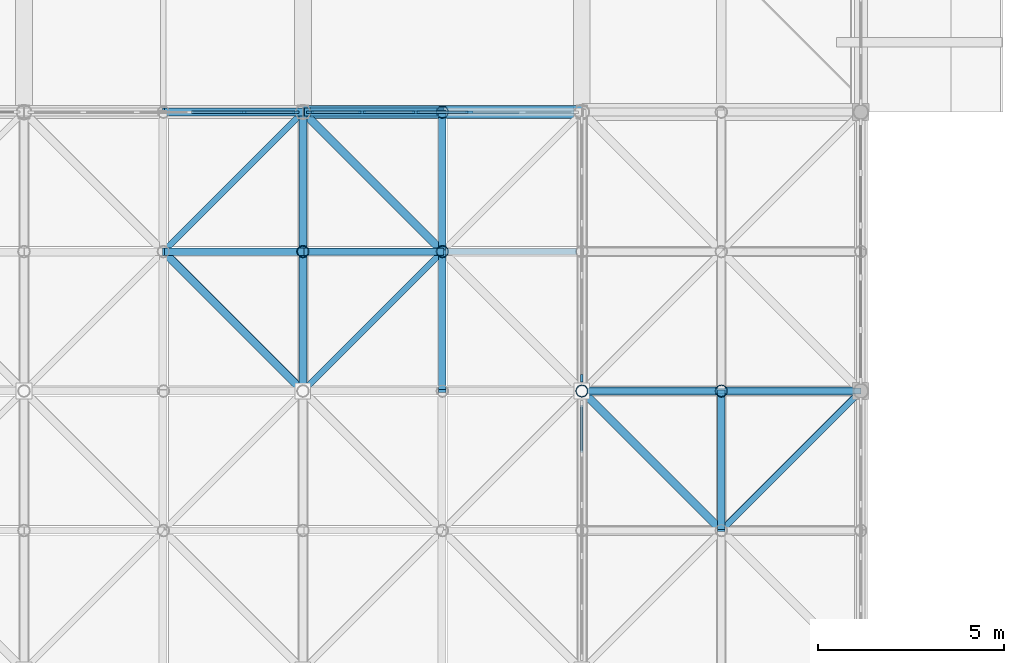
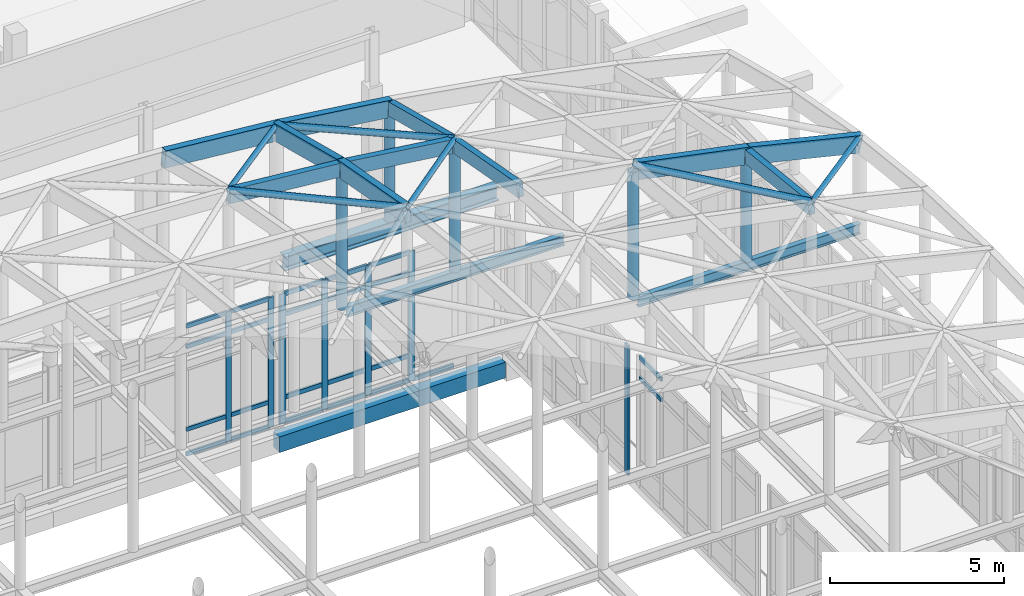
# One storey, part 47 of 131: 52 members, 4 beams, 4 elements without a shape of their own.
"""IFC4 building model written with IfcOpenShell, lengths in metres."""

from ifc_helpers import new_model, si_unit, direction, frame, origin, origin_2d, place, context, subcontext, project, spatial, rectangle, hollow_circle, i_section, extrude, material, layer, layer_set, material_profile, profile_set, type_object, element, aggregate, save


model = new_model("IFC4")

# Units and contexts
model_context = context("Model", 3, precision=1e-05, world=origin(), true_north=direction((0.0, 1.0)))
body_context = subcontext(model_context, "Body", "Model", "MODEL_VIEW")
ifc_project = project(units=[si_unit("LENGTHUNIT", "METRE"), si_unit("AREAUNIT", "SQUARE_METRE"), si_unit("VOLUMEUNIT", "CUBIC_METRE"), si_unit("PLANEANGLEUNIT", "RADIAN"), si_unit("MASSUNIT", "GRAM", prefix="KILO")], contexts=[model_context])

# Site, building, storey
site_placement = place(None, origin())
site = spatial("IfcSite", under=ifc_project, at=site_placement, CompositionType="ELEMENT")
building_placement = place(site_placement, origin())
building = spatial("IfcBuilding", under=site, at=building_placement, Name="Dalvernix Boulevard General Hospital", CompositionType="ELEMENT")
storey_placement = place(building_placement, frame((0.0, 0.0, 9.300048828125)))
storey = spatial("IfcBuildingStorey", under=building, at=storey_placement, Name="L02", CompositionType="ELEMENT", Elevation=9.300048828125)

# Beams
ifc_material_1 = material(Name="Steel S355", Category="steel")
ifc_material_profile_1 = material_profile(ifc_material_1, i_section(OverallWidth=0.300048828125, OverallDepth=0.5, WebThickness=0.014404296875, FlangeThickness=0.028076171875, FilletRadius=0.027099609375, at=origin_2d()), Name="HEB 500")
ifc_profile_set_1 = profile_set([ifc_material_profile_1], Name="Steel S355")
beam_type_1 = type_object("IfcBeamType", Name="BM-RB-02", PredefinedType="BEAM", material=ifc_profile_set_1)
beam_1_placement = place(storey_placement, frame((97.7099609375, 61.5, 5.64990234375), z_axis=(1.0, 0.0, 0.0), x_axis=(0.0, 1.0, 0.0)))
element("IfcBeam", 1, at=beam_1_placement, inside=storey, type_object=beam_type_1, Name="Gridshell Ring Beam N bay 6", PredefinedType="BEAM", context=body_context, shape_type="SweptSolid", body=[
    extrude(i_section(OverallWidth=0.300048828125, OverallDepth=0.5, WebThickness=0.014404296875, FlangeThickness=0.028076171875, FilletRadius=0.027099609375, at=origin_2d()), origin(), (0.0, 0.0, 1.0), 7.080078125),
])
ifc_material_profile_2 = material_profile(ifc_material_1, i_section(OverallWidth=0.169921875, OverallDepth=0.360107421875, WebThickness=0.008056640625, FlangeThickness=0.0126953125, FilletRadius=0.01806640625, at=origin_2d()), Name="IPE 360")
ifc_profile_set_2 = profile_set([ifc_material_profile_2], Name="Steel S355")
beam_type_2 = type_object("IfcBeamType", Name="BM-RB-08", PredefinedType="BEAM", material=ifc_profile_set_2)
beam_2_placement = place(storey_placement, frame((105.14208984375, 54.0, 6.219970703125), z_axis=(1.0, 0.0, 0.0), x_axis=(0.0, 1.0, 0.0)))
element("IfcBeam", 2, at=beam_2_placement, inside=storey, type_object=beam_type_2, Name="ROOF TRUSS Gridshell cross tie 12-6", PredefinedType="BEAM", context=body_context, shape_type="SweptSolid", body=[
    extrude(i_section(OverallWidth=0.169921875, OverallDepth=0.360107421875, WebThickness=0.008056640625, FlangeThickness=0.0126953125, FilletRadius=0.01806640625, at=origin_2d()), origin(), (0.0, 0.0, 1.0), 7.35791015625),
])
beam_3_placement = place(storey_placement, frame((97.64208984375, 57.75, 6.219970703125), z_axis=(1.0, 0.0, 0.0), x_axis=(0.0, 1.0, 0.0)))
element("IfcBeam", 3, at=beam_3_placement, inside=storey, type_object=beam_type_2, Name="ROOF TRUSS Gridshell cross tie 10-7", PredefinedType="BEAM", context=body_context, shape_type="SweptSolid", body=[
    extrude(i_section(OverallWidth=0.169921875, OverallDepth=0.360107421875, WebThickness=0.008056640625, FlangeThickness=0.0126953125, FilletRadius=0.01806640625, at=origin_2d()), origin(), (0.0, 0.0, 1.0), 7.2158203125),
])
ifc_material_2 = material(Name="Concrete C35/45", Category="concrete")
ifc_material_profile_3 = material_profile(ifc_material_2, rectangle(XDim=0.35009765625, YDim=0.550048828125, at=origin_2d()), Name="RCB 350x550")
ifc_profile_set_3 = profile_set([ifc_material_profile_3], Name="Concrete C35/45")
beam_type_3 = type_object("IfcBeamType", Name="BM-SB-01-E", PredefinedType="SPANDREL", material=ifc_profile_set_3)
beam_4_placement = place(storey_placement, frame((97.5, 61.5, -0.594970703125), z_axis=(1.0, 0.0, 0.0), x_axis=(0.0, 1.0, 0.0)))
element("IfcBeam", 4, at=beam_4_placement, inside=storey, type_object=beam_type_3, Name="L02 E-W girder J:14-15", PredefinedType="SPANDREL", context=body_context, shape_type="SweptSolid", body=[
    extrude(rectangle(XDim=0.35009765625, YDim=0.550048828125, at=origin_2d()), origin(), (0.0, 0.0, 1.0), 7.5),
])

# Curtain wall, members
ifc_material_3 = material(Name="Thermally broken aluminium and solar-control glass curtain wall", Category="aluminium")
ifc_layer_1 = layer(ifc_material_3, 0.179931640625)
ifc_layer_set_1 = layer_set([ifc_layer_1], Name="Thermally broken aluminium and solar-control glass curtain wall (CW-CW-B-72x46)")
curtain_wall_type_1 = type_object("IfcCurtainWallType", Name="CW-CW-B-72x46", PredefinedType="USERDEFINED", material=ifc_layer_set_1)
curtain_wall_1_placement = place(storey_placement, origin())
curtain_wall_1 = element("IfcCurtainWall", 5, at=curtain_wall_1_placement, inside=storey, type_object=curtain_wall_type_1, Name="L02 curtain wall CW-B-72x46 12-8", ObjectType="GLAZED FACADE", PredefinedType="USERDEFINED")
ifc_material_4 = material(Name="Aluminium EN AW-6060", Category="aluminium")
ifc_material_profile_4 = material_profile(ifc_material_4, rectangle(XDim=0.06494140625, YDim=0.179931640625, at=origin_2d()), Name="ALU MULL 65x180")
ifc_profile_set_4 = profile_set([ifc_material_profile_4], Name="Aluminium EN AW-6060")
member_type_1 = type_object("IfcMemberType", Name="MEM-CW-M2", PredefinedType="MULLION", material=ifc_profile_set_4)
member_1_placement = place(storey_placement, frame((97.3076171875, 61.5, 0.0), z_axis=(0.0, 0.0, 1.0), x_axis=(0.0, -1.0, 0.0)))
member_1 = element("IfcMember", 6, at=member_1_placement, type_object=member_type_1, Name="CW-B-72x46 mullion 1", PredefinedType="MULLION", context=body_context, shape_type="SweptSolid", body=[
    extrude(rectangle(XDim=0.06494140625, YDim=0.179931640625, at=origin_2d()), origin(), (0.0, 0.0, 1.0), 4.550048828125),
])
member_2_placement = place(storey_placement, frame((95.904052734375, 61.5, 0.0), z_axis=(0.0, 0.0, 1.0), x_axis=(0.0, -1.0, 0.0)))
member_2 = element("IfcMember", 7, at=member_2_placement, type_object=member_type_1, Name="CW-B-72x46 mullion 2", PredefinedType="MULLION", context=body_context, shape_type="SweptSolid", body=[
    extrude(rectangle(XDim=0.06494140625, YDim=0.179931640625, at=origin_2d()), origin(), (0.0, 0.0, 1.0), 4.550048828125),
])

ifc_layer_2 = layer(ifc_material_3, 0.199951171875)
ifc_layer_set_2 = layer_set([ifc_layer_2], Name="Thermally broken aluminium and solar-control glass curtain wall (CW-CW-C-72x46)")
curtain_wall_type_2 = type_object("IfcCurtainWallType", Name="CW-CW-C-72x46", PredefinedType="USERDEFINED", material=ifc_layer_set_2)
curtain_wall_2_placement = place(storey_placement, origin())
curtain_wall_2 = element("IfcCurtainWall", 8, at=curtain_wall_2_placement, inside=storey, type_object=curtain_wall_type_2, Name="L02 curtain wall CW-C-72x46 13-8", ObjectType="GLAZED FACADE", PredefinedType="USERDEFINED")
ifc_material_profile_5 = material_profile(ifc_material_4, rectangle(XDim=0.070068359375, YDim=0.199951171875, at=origin_2d()), Name="ALU MULL 70x200")
ifc_profile_set_5 = profile_set([ifc_material_profile_5], Name="Aluminium EN AW-6060")
member_type_2 = type_object("IfcMemberType", Name="MEM-CW-M3", PredefinedType="MULLION", material=ifc_profile_set_5)
member_3_placement = place(storey_placement, frame((101.968017578125, 61.5, 0.0), z_axis=(0.0, 0.0, 1.0), x_axis=(0.0, -1.0, 0.0)))
member_3 = element("IfcMember", 9, at=member_3_placement, type_object=member_type_2, Name="CW-C-72x46 mullion 3", PredefinedType="MULLION", context=body_context, shape_type="SweptSolid", body=[
    extrude(rectangle(XDim=0.070068359375, YDim=0.199951171875, at=origin_2d()), origin(), (0.0, 0.0, 1.0), 4.550048828125),
])
member_4_placement = place(storey_placement, frame((100.531982421875, 61.5, 0.0), z_axis=(0.0, 0.0, 1.0), x_axis=(0.0, -1.0, 0.0)))
member_4 = element("IfcMember", 10, at=member_4_placement, type_object=member_type_2, Name="CW-C-72x46 mullion 4", PredefinedType="MULLION", context=body_context, shape_type="SweptSolid", body=[
    extrude(rectangle(XDim=0.070068359375, YDim=0.199951171875, at=origin_2d()), origin(), (0.0, 0.0, 1.0), 4.550048828125),
])
member_5_placement = place(storey_placement, frame((99.095947265625, 61.5, 0.0), z_axis=(0.0, 0.0, 1.0), x_axis=(0.0, -1.0, 0.0)))
member_5 = element("IfcMember", 11, at=member_5_placement, type_object=member_type_2, Name="CW-C-72x46 mullion 5", PredefinedType="MULLION", context=body_context, shape_type="SweptSolid", body=[
    extrude(rectangle(XDim=0.070068359375, YDim=0.199951171875, at=origin_2d()), origin(), (0.0, 0.0, 1.0), 4.550048828125),
])
member_6_placement = place(storey_placement, frame((97.695068359375, 61.5, 0.0), z_axis=(0.0, 0.0, 1.0), x_axis=(0.0, -1.0, 0.0)))
member_6 = element("IfcMember", 12, at=member_6_placement, type_object=member_type_2, Name="CW-C-72x46 mullion 6", PredefinedType="MULLION", context=body_context, shape_type="SweptSolid", body=[
    extrude(rectangle(XDim=0.070068359375, YDim=0.199951171875, at=origin_2d()), origin(), (0.0, 0.0, 1.0), 4.550048828125),
])

# Curtain wall, member
ifc_layer_3 = layer(ifc_material_3, 0.199951171875)
ifc_layer_set_3 = layer_set([ifc_layer_3], Name="Thermally broken aluminium and solar-control glass curtain wall (CW-CW-C-70x46)")
curtain_wall_type_3 = type_object("IfcCurtainWallType", Name="CW-CW-C-70x46", PredefinedType="USERDEFINED", material=ifc_layer_set_3)
curtain_wall_3_placement = place(storey_placement, origin())
curtain_wall_3 = element("IfcCurtainWall", 13, at=curtain_wall_3_placement, inside=storey, type_object=curtain_wall_type_3, Name="L02 curtain wall CW-C-70x46 14-7", ObjectType="GLAZED FACADE", PredefinedType="USERDEFINED")
member_7_placement = place(storey_placement, frame((105.0, 54.344970703125, 0.0), z_axis=(0.0, 0.0, 1.0), x_axis=(-1.0, 0.0, 0.0)))
member_7 = element("IfcMember", 14, at=member_7_placement, type_object=member_type_2, Name="CW-C-70x46 mullion 1", PredefinedType="MULLION", context=body_context, shape_type="SweptSolid", body=[
    extrude(rectangle(XDim=0.070068359375, YDim=0.199951171875, at=origin_2d()), origin(), (0.0, 0.0, 1.0), 4.550048828125),
])
aggregate(curtain_wall_3, [member_7])

# Member
ifc_material_profile_6 = material_profile(ifc_material_4, rectangle(XDim=0.06494140625, YDim=0.139892578125, at=origin_2d()), Name="ALU TRAN 65x140")
ifc_profile_set_6 = profile_set([ifc_material_profile_6], Name="Aluminium EN AW-6060")
member_type_3 = type_object("IfcMemberType", Name="MEM-CW-T2", PredefinedType="USERDEFINED", material=ifc_profile_set_6)
member_8_placement = place(storey_placement, frame((97.27490234375, 61.5, 0.032470703125), z_axis=(-1.0, 0.0, 0.0), x_axis=(0.0, -1.0, 0.0)))
member_8 = element("IfcMember", 15, at=member_8_placement, type_object=member_type_3, Name="CW-B-72x46 transom 1.1", ObjectType="TRANSOM", PredefinedType="USERDEFINED", context=body_context, shape_type="SweptSolid", body=[
    extrude(rectangle(XDim=0.06494140625, YDim=0.139892578125, at=origin_2d()), origin(), (0.0, 0.0, 1.0), 1.33837890625),
])

member_9_placement = place(storey_placement, frame((97.27490234375, 61.5, 0.89990234375), z_axis=(-1.0, 0.0, 0.0), x_axis=(0.0, -1.0, 0.0)))
member_9 = element("IfcMember", 16, at=member_9_placement, type_object=member_type_3, Name="CW-B-72x46 transom 1.2", ObjectType="TRANSOM", PredefinedType="USERDEFINED", context=body_context, shape_type="SweptSolid", body=[
    extrude(rectangle(XDim=0.06494140625, YDim=0.139892578125, at=origin_2d()), origin(), (0.0, 0.0, 1.0), 1.33837890625),
])

member_10_placement = place(storey_placement, frame((97.27490234375, 61.5, 3.800048828125), z_axis=(-1.0, 0.0, 0.0), x_axis=(0.0, -1.0, 0.0)))
member_10 = element("IfcMember", 17, at=member_10_placement, type_object=member_type_3, Name="CW-B-72x46 transom 1.3", ObjectType="TRANSOM", PredefinedType="USERDEFINED", context=body_context, shape_type="SweptSolid", body=[
    extrude(rectangle(XDim=0.06494140625, YDim=0.139892578125, at=origin_2d()), origin(), (0.0, 0.0, 1.0), 1.33837890625),
])

member_11_placement = place(storey_placement, frame((97.27490234375, 61.5, 4.517333984375), z_axis=(-1.0, 0.0, 0.0), x_axis=(0.0, -1.0, 0.0)))
member_11 = element("IfcMember", 18, at=member_11_placement, type_object=member_type_3, Name="CW-B-72x46 transom 1.4", ObjectType="TRANSOM", PredefinedType="USERDEFINED", context=body_context, shape_type="SweptSolid", body=[
    extrude(rectangle(XDim=0.06494140625, YDim=0.139892578125, at=origin_2d()), origin(), (0.0, 0.0, 1.0), 1.33837890625),
])

member_12_placement = place(storey_placement, frame((95.87158203125, 61.5, 0.032470703125), z_axis=(-1.0, 0.0, 0.0), x_axis=(0.0, -1.0, 0.0)))
member_12 = element("IfcMember", 19, at=member_12_placement, type_object=member_type_3, Name="CW-B-72x46 transom 2.1", ObjectType="TRANSOM", PredefinedType="USERDEFINED", context=body_context, shape_type="SweptSolid", body=[
    extrude(rectangle(XDim=0.06494140625, YDim=0.139892578125, at=origin_2d()), origin(), (0.0, 0.0, 1.0), 1.37109375),
])

member_13_placement = place(storey_placement, frame((95.87158203125, 61.5, 0.89990234375), z_axis=(-1.0, 0.0, 0.0), x_axis=(0.0, -1.0, 0.0)))
member_13 = element("IfcMember", 20, at=member_13_placement, type_object=member_type_3, Name="CW-B-72x46 transom 2.2", ObjectType="TRANSOM", PredefinedType="USERDEFINED", context=body_context, shape_type="SweptSolid", body=[
    extrude(rectangle(XDim=0.06494140625, YDim=0.139892578125, at=origin_2d()), origin(), (0.0, 0.0, 1.0), 1.37109375),
])

member_14_placement = place(storey_placement, frame((95.87158203125, 61.5, 3.800048828125), z_axis=(-1.0, 0.0, 0.0), x_axis=(0.0, -1.0, 0.0)))
member_14 = element("IfcMember", 21, at=member_14_placement, type_object=member_type_3, Name="CW-B-72x46 transom 2.3", ObjectType="TRANSOM", PredefinedType="USERDEFINED", context=body_context, shape_type="SweptSolid", body=[
    extrude(rectangle(XDim=0.06494140625, YDim=0.139892578125, at=origin_2d()), origin(), (0.0, 0.0, 1.0), 1.37109375),
])

member_15_placement = place(storey_placement, frame((95.87158203125, 61.5, 4.517333984375), z_axis=(-1.0, 0.0, 0.0), x_axis=(0.0, -1.0, 0.0)))
member_15 = element("IfcMember", 22, at=member_15_placement, type_object=member_type_3, Name="CW-B-72x46 transom 2.4", ObjectType="TRANSOM", PredefinedType="USERDEFINED", context=body_context, shape_type="SweptSolid", body=[
    extrude(rectangle(XDim=0.06494140625, YDim=0.139892578125, at=origin_2d()), origin(), (0.0, 0.0, 1.0), 1.37109375),
])

aggregate(curtain_wall_1, [member_1, member_2, member_8, member_9, member_10, member_11, member_12, member_13, member_14, member_15])

# Curtain wall, members
ifc_layer_4 = layer(ifc_material_3, 0.179931640625)
ifc_layer_set_4 = layer_set([ifc_layer_4], Name="Thermally broken aluminium and solar-control glass curtain wall (CW-CW-B-69x46)")
curtain_wall_type_4 = type_object("IfcCurtainWallType", Name="CW-CW-B-69x46", PredefinedType="USERDEFINED", material=ifc_layer_set_4)
curtain_wall_4_placement = place(storey_placement, origin())
curtain_wall_4 = element("IfcCurtainWall", 23, at=curtain_wall_4_placement, inside=storey, type_object=curtain_wall_type_4, Name="L02 curtain wall CW-B-69x46 14-6", ObjectType="GLAZED FACADE", PredefinedType="USERDEFINED")
member_16_placement = place(storey_placement, frame((105.0, 52.346435546875, 3.800048828125), z_axis=(0.0, 1.0, 0.0), x_axis=(-1.0, 0.0, 0.0)))
member_16 = element("IfcMember", 24, at=member_16_placement, type_object=member_type_3, Name="CW-B-69x46 transom 5.3", ObjectType="TRANSOM", PredefinedType="USERDEFINED", context=body_context, shape_type="SweptSolid", body=[
    extrude(rectangle(XDim=0.06494140625, YDim=0.139892578125, at=origin_2d()), origin(), (0.0, 0.0, 1.0), 1.278564453125),
])
member_17_placement = place(storey_placement, frame((105.0, 52.346435546875, 4.517333984375), z_axis=(0.0, 1.0, 0.0), x_axis=(-1.0, 0.0, 0.0)))
member_17 = element("IfcMember", 25, at=member_17_placement, type_object=member_type_3, Name="CW-B-69x46 transom 5.4", ObjectType="TRANSOM", PredefinedType="USERDEFINED", context=body_context, shape_type="SweptSolid", body=[
    extrude(rectangle(XDim=0.06494140625, YDim=0.139892578125, at=origin_2d()), origin(), (0.0, 0.0, 1.0), 1.278564453125),
])
aggregate(curtain_wall_4, [member_16, member_17])

# Member
ifc_material_profile_7 = material_profile(ifc_material_4, rectangle(XDim=0.070068359375, YDim=0.14990234375, at=origin_2d()), Name="ALU TRAN 70x150")
ifc_profile_set_7 = profile_set([ifc_material_profile_7], Name="Aluminium EN AW-6060")
member_type_4 = type_object("IfcMemberType", Name="MEM-CW-T3", PredefinedType="USERDEFINED", material=ifc_profile_set_7)
member_18_placement = place(storey_placement, frame((103.368896484375, 61.5, 0.034912109375), z_axis=(-1.0, 0.0, 0.0), x_axis=(0.0, -1.0, 0.0)))
member_18 = element("IfcMember", 26, at=member_18_placement, type_object=member_type_4, Name="CW-C-72x46 transom 2.1", ObjectType="TRANSOM", PredefinedType="USERDEFINED", context=body_context, shape_type="SweptSolid", body=[
    extrude(rectangle(XDim=0.070068359375, YDim=0.14990234375, at=origin_2d()), origin(), (0.0, 0.0, 1.0), 1.365966796875),
])

member_19_placement = place(storey_placement, frame((101.93310546875, 61.5, 0.034912109375), z_axis=(-1.0, 0.0, 0.0), x_axis=(0.0, -1.0, 0.0)))
member_19 = element("IfcMember", 27, at=member_19_placement, type_object=member_type_4, Name="CW-C-72x46 transom 3.1", ObjectType="TRANSOM", PredefinedType="USERDEFINED", context=body_context, shape_type="SweptSolid", body=[
    extrude(rectangle(XDim=0.070068359375, YDim=0.14990234375, at=origin_2d()), origin(), (0.0, 0.0, 1.0), 1.3662109375),
])

member_20_placement = place(storey_placement, frame((101.93310546875, 61.5, 0.89990234375), z_axis=(-1.0, 0.0, 0.0), x_axis=(0.0, -1.0, 0.0)))
member_20 = element("IfcMember", 28, at=member_20_placement, type_object=member_type_4, Name="CW-C-72x46 transom 3.2", ObjectType="TRANSOM", PredefinedType="USERDEFINED", context=body_context, shape_type="SweptSolid", body=[
    extrude(rectangle(XDim=0.070068359375, YDim=0.14990234375, at=origin_2d()), origin(), (0.0, 0.0, 1.0), 1.3662109375),
])

member_21_placement = place(storey_placement, frame((101.93310546875, 61.5, 3.800048828125), z_axis=(-1.0, 0.0, 0.0), x_axis=(0.0, -1.0, 0.0)))
member_21 = element("IfcMember", 29, at=member_21_placement, type_object=member_type_4, Name="CW-C-72x46 transom 3.3", ObjectType="TRANSOM", PredefinedType="USERDEFINED", context=body_context, shape_type="SweptSolid", body=[
    extrude(rectangle(XDim=0.070068359375, YDim=0.14990234375, at=origin_2d()), origin(), (0.0, 0.0, 1.0), 1.3662109375),
])

member_22_placement = place(storey_placement, frame((101.93310546875, 61.5, 4.514892578125), z_axis=(-1.0, 0.0, 0.0), x_axis=(0.0, -1.0, 0.0)))
member_22 = element("IfcMember", 30, at=member_22_placement, type_object=member_type_4, Name="CW-C-72x46 transom 3.4", ObjectType="TRANSOM", PredefinedType="USERDEFINED", context=body_context, shape_type="SweptSolid", body=[
    extrude(rectangle(XDim=0.070068359375, YDim=0.14990234375, at=origin_2d()), origin(), (0.0, 0.0, 1.0), 1.3662109375),
])

member_23_placement = place(storey_placement, frame((100.4970703125, 61.5, 0.034912109375), z_axis=(-1.0, 0.0, 0.0), x_axis=(0.0, -1.0, 0.0)))
member_23 = element("IfcMember", 31, at=member_23_placement, type_object=member_type_4, Name="CW-C-72x46 transom 4.1", ObjectType="TRANSOM", PredefinedType="USERDEFINED", context=body_context, shape_type="SweptSolid", body=[
    extrude(rectangle(XDim=0.070068359375, YDim=0.14990234375, at=origin_2d()), origin(), (0.0, 0.0, 1.0), 1.365966796875),
])

member_24_placement = place(storey_placement, frame((100.4970703125, 61.5, 0.89990234375), z_axis=(-1.0, 0.0, 0.0), x_axis=(0.0, -1.0, 0.0)))
member_24 = element("IfcMember", 32, at=member_24_placement, type_object=member_type_4, Name="CW-C-72x46 transom 4.2", ObjectType="TRANSOM", PredefinedType="USERDEFINED", context=body_context, shape_type="SweptSolid", body=[
    extrude(rectangle(XDim=0.070068359375, YDim=0.14990234375, at=origin_2d()), origin(), (0.0, 0.0, 1.0), 1.365966796875),
])

member_25_placement = place(storey_placement, frame((100.4970703125, 61.5, 3.800048828125), z_axis=(-1.0, 0.0, 0.0), x_axis=(0.0, -1.0, 0.0)))
member_25 = element("IfcMember", 33, at=member_25_placement, type_object=member_type_4, Name="CW-C-72x46 transom 4.3", ObjectType="TRANSOM", PredefinedType="USERDEFINED", context=body_context, shape_type="SweptSolid", body=[
    extrude(rectangle(XDim=0.070068359375, YDim=0.14990234375, at=origin_2d()), origin(), (0.0, 0.0, 1.0), 1.365966796875),
])

member_26_placement = place(storey_placement, frame((100.4970703125, 61.5, 4.514892578125), z_axis=(-1.0, 0.0, 0.0), x_axis=(0.0, -1.0, 0.0)))
member_26 = element("IfcMember", 34, at=member_26_placement, type_object=member_type_4, Name="CW-C-72x46 transom 4.4", ObjectType="TRANSOM", PredefinedType="USERDEFINED", context=body_context, shape_type="SweptSolid", body=[
    extrude(rectangle(XDim=0.070068359375, YDim=0.14990234375, at=origin_2d()), origin(), (0.0, 0.0, 1.0), 1.365966796875),
])

member_27_placement = place(storey_placement, frame((99.06103515625, 61.5, 0.034912109375), z_axis=(-1.0, 0.0, 0.0), x_axis=(0.0, -1.0, 0.0)))
member_27 = element("IfcMember", 35, at=member_27_placement, type_object=member_type_4, Name="CW-C-72x46 transom 5.1", ObjectType="TRANSOM", PredefinedType="USERDEFINED", context=body_context, shape_type="SweptSolid", body=[
    extrude(rectangle(XDim=0.070068359375, YDim=0.14990234375, at=origin_2d()), origin(), (0.0, 0.0, 1.0), 1.3310546875),
])

member_28_placement = place(storey_placement, frame((99.06103515625, 61.5, 0.89990234375), z_axis=(-1.0, 0.0, 0.0), x_axis=(0.0, -1.0, 0.0)))
member_28 = element("IfcMember", 36, at=member_28_placement, type_object=member_type_4, Name="CW-C-72x46 transom 5.2", ObjectType="TRANSOM", PredefinedType="USERDEFINED", context=body_context, shape_type="SweptSolid", body=[
    extrude(rectangle(XDim=0.070068359375, YDim=0.14990234375, at=origin_2d()), origin(), (0.0, 0.0, 1.0), 1.3310546875),
])

member_29_placement = place(storey_placement, frame((99.06103515625, 61.5, 3.800048828125), z_axis=(-1.0, 0.0, 0.0), x_axis=(0.0, -1.0, 0.0)))
member_29 = element("IfcMember", 37, at=member_29_placement, type_object=member_type_4, Name="CW-C-72x46 transom 5.3", ObjectType="TRANSOM", PredefinedType="USERDEFINED", context=body_context, shape_type="SweptSolid", body=[
    extrude(rectangle(XDim=0.070068359375, YDim=0.14990234375, at=origin_2d()), origin(), (0.0, 0.0, 1.0), 1.3310546875),
])

member_30_placement = place(storey_placement, frame((99.06103515625, 61.5, 4.514892578125), z_axis=(-1.0, 0.0, 0.0), x_axis=(0.0, -1.0, 0.0)))
member_30 = element("IfcMember", 38, at=member_30_placement, type_object=member_type_4, Name="CW-C-72x46 transom 5.4", ObjectType="TRANSOM", PredefinedType="USERDEFINED", context=body_context, shape_type="SweptSolid", body=[
    extrude(rectangle(XDim=0.070068359375, YDim=0.14990234375, at=origin_2d()), origin(), (0.0, 0.0, 1.0), 1.3310546875),
])

aggregate(curtain_wall_2, [member_3, member_4, member_5, member_6, member_18, member_19, member_20, member_21, member_22, member_23, member_24, member_25, member_26, member_27, member_28, member_29, member_30])

# Members
ifc_material_5 = material(Name="Glulam GL28h", Category="wood")
ifc_material_profile_8 = material_profile(ifc_material_5, rectangle(XDim=0.219970703125, YDim=0.60009765625, at=origin_2d()), Name="GL28h 220x600")
ifc_profile_set_8 = profile_set([ifc_material_profile_8], Name="Glulam GL28h")
member_type_5 = type_object("IfcMemberType", Name="MEM-GS-C1", PredefinedType="CHORD", material=ifc_profile_set_8)
member_31_placement = place(storey_placement, frame((105.0, 54.0, 10.865234375), z_axis=(0.979912579686, 0.0, -0.1994275211), x_axis=(0.0, 1.0, 0.0)))
element("IfcMember", 39, at=member_31_placement, inside=storey, type_object=member_type_5, Name="ROOF TRUSS Gridshell E-W glulam rib 13-7", PredefinedType="CHORD", context=body_context, shape_type="SweptSolid", body=[
    extrude(rectangle(XDim=0.219970703125, YDim=0.60009765625, at=origin_2d()), origin(), (0.0, 0.0, 1.0), 3.826904296875),
])
member_32_placement = place(storey_placement, frame((108.75, 54.0, 10.10205078125), z_axis=(0.972263633295, 0.0, -0.233887638348), x_axis=(0.0, 1.0, 0.0)))
element("IfcMember", 40, at=member_32_placement, inside=storey, type_object=member_type_5, Name="ROOF TRUSS Gridshell E-W glulam rib 14-7", PredefinedType="CHORD", context=body_context, shape_type="SweptSolid", body=[
    extrude(rectangle(XDim=0.219970703125, YDim=0.60009765625, at=origin_2d()), origin(), (0.0, 0.0, 1.0), 3.85693359375),
])
member_33_placement = place(storey_placement, frame((93.75, 61.5, 10.67236328125), z_axis=(0.995747945021, 0.0, -0.092119650382), x_axis=(0.0, 1.0, 0.0)))
element("IfcMember", 41, at=member_33_placement, inside=storey, type_object=member_type_5, Name="ROOF TRUSS Gridshell E-W glulam rib 10-9", PredefinedType="CHORD", context=body_context, shape_type="SweptSolid", body=[
    extrude(rectangle(XDim=0.219970703125, YDim=0.60009765625, at=origin_2d()), origin(), (0.0, 0.0, 1.0), 3.76611328125),
])
member_34_placement = place(storey_placement, frame((97.5, 61.5, 10.325439453125), z_axis=(0.99171987465, 0.0, -0.128419975956), x_axis=(0.0, 1.0, 0.0)))
element("IfcMember", 42, at=member_34_placement, inside=storey, type_object=member_type_5, Name="ROOF TRUSS Gridshell E-W glulam rib 11-9", PredefinedType="CHORD", context=body_context, shape_type="SweptSolid", body=[
    extrude(rectangle(XDim=0.219970703125, YDim=0.60009765625, at=origin_2d()), origin(), (0.0, 0.0, 1.0), 3.78125),
])
member_35_placement = place(storey_placement, frame((97.5, 54.0, 11.975341796875), z_axis=(0.0, 0.983606557377, -0.180327868852), x_axis=(-1.0, 0.0, 0.0)))
element("IfcMember", 43, at=member_35_placement, inside=storey, type_object=member_type_5, Name="ROOF TRUSS Gridshell N-S glulam rib 11-7", PredefinedType="CHORD", context=body_context, shape_type="SweptSolid", body=[
    extrude(rectangle(XDim=0.219970703125, YDim=0.60009765625, at=origin_2d()), origin(), (0.0, 0.0, 1.0), 3.8125),
])
member_36_placement = place(storey_placement, frame((97.5, 57.75, 11.287841796875), z_axis=(0.0, 0.968610158303, -0.248584716408), x_axis=(-1.0, 0.0, 0.0)))
element("IfcMember", 44, at=member_36_placement, inside=storey, type_object=member_type_5, Name="ROOF TRUSS Gridshell N-S glulam rib 11-8", PredefinedType="CHORD", context=body_context, shape_type="SweptSolid", body=[
    extrude(rectangle(XDim=0.219970703125, YDim=0.60009765625, at=origin_2d()), origin(), (0.0, 0.0, 1.0), 3.87158203125),
])
ifc_material_profile_9 = material_profile(ifc_material_5, rectangle(XDim=0.199951171875, YDim=0.47998046875, at=origin_2d()), Name="GL28h 200x480")
ifc_profile_set_9 = profile_set([ifc_material_profile_9], Name="Glulam GL28h")
member_type_6 = type_object("IfcMemberType", Name="MEM-GS-C2", PredefinedType="CHORD", material=ifc_profile_set_9)
member_37_placement = place(storey_placement, frame((93.75, 57.75, 11.634765625), z_axis=(0.995747945021, 0.0, -0.092119650382), x_axis=(0.0, 1.0, 0.0)))
element("IfcMember", 45, at=member_37_placement, inside=storey, type_object=member_type_6, Name="ROOF TRUSS Gridshell E-W glulam rib 10-8", PredefinedType="CHORD", context=body_context, shape_type="SweptSolid", body=[
    extrude(rectangle(XDim=0.199951171875, YDim=0.47998046875, at=origin_2d()), origin(), (0.0, 0.0, 1.0), 3.76611328125),
])
member_38_placement = place(storey_placement, frame((97.5, 57.75, 11.287841796875), z_axis=(0.99171987465, 0.0, -0.128419975956), x_axis=(0.0, 1.0, 0.0)))
element("IfcMember", 46, at=member_38_placement, inside=storey, type_object=member_type_6, Name="ROOF TRUSS Gridshell E-W glulam rib 11-8", PredefinedType="CHORD", context=body_context, shape_type="SweptSolid", body=[
    extrude(rectangle(XDim=0.199951171875, YDim=0.47998046875, at=origin_2d()), origin(), (0.0, 0.0, 1.0), 3.78125),
])
member_39_placement = place(storey_placement, frame((101.25, 54.0, 11.48974609375), z_axis=(0.0, 0.983606557377, -0.180327868852), x_axis=(-1.0, 0.0, 0.0)))
element("IfcMember", 47, at=member_39_placement, inside=storey, type_object=member_type_6, Name="ROOF TRUSS Gridshell N-S glulam rib 12-7", PredefinedType="CHORD", context=body_context, shape_type="SweptSolid", body=[
    extrude(rectangle(XDim=0.199951171875, YDim=0.47998046875, at=origin_2d()), origin(), (0.0, 0.0, 1.0), 3.8125),
])
member_40_placement = place(storey_placement, frame((101.25, 57.75, 10.80224609375), z_axis=(0.0, 0.968610158303, -0.248584716408), x_axis=(-1.0, 0.0, 0.0)))
element("IfcMember", 48, at=member_40_placement, inside=storey, type_object=member_type_6, Name="ROOF TRUSS Gridshell N-S glulam rib 12-8", PredefinedType="CHORD", context=body_context, shape_type="SweptSolid", body=[
    extrude(rectangle(XDim=0.199951171875, YDim=0.47998046875, at=origin_2d()), origin(), (0.0, 0.0, 1.0), 3.87158203125),
])
member_41_placement = place(storey_placement, frame((108.75, 50.25, 10.514404296875), z_axis=(0.0, 0.994008575263, -0.109302114819), x_axis=(-1.0, 0.0, 0.0)))
element("IfcMember", 49, at=member_41_placement, inside=storey, type_object=member_type_6, Name="ROOF TRUSS Gridshell N-S glulam rib 14-6", PredefinedType="CHORD", context=body_context, shape_type="SweptSolid", body=[
    extrude(rectangle(XDim=0.199951171875, YDim=0.47998046875, at=origin_2d()), origin(), (0.0, 0.0, 1.0), 3.772705078125),
])
ifc_material_profile_10 = material_profile(ifc_material_1, hollow_circle(Radius=0.161865234375, WallThickness=0.012451171875, at=origin_2d()), Name="CHS 323.9x12.5")
ifc_profile_set_10 = profile_set([ifc_material_profile_10], Name="Steel S355")
member_type_7 = type_object("IfcMemberType", Name="MEM-GS-C3", PredefinedType="CHORD", material=ifc_profile_set_10)
member_42_placement = place(storey_placement, frame((101.25, 61.5, 5.89990234375), z_axis=(0.0, 0.0, 1.0), x_axis=(1.0, 0.0, 0.0)))
element("IfcMember", 50, at=member_42_placement, inside=storey, type_object=member_type_7, Name="Gridshell edge mullion 11-8", PredefinedType="CHORD", context=body_context, shape_type="SweptSolid", body=[
    extrude(hollow_circle(Radius=0.161865234375, WallThickness=0.012451171875, at=origin_2d()), origin(), (0.0, 0.0, 1.0), 3.93994140625),
])
member_43_placement = place(storey_placement, frame((97.5, 57.75, 6.39990234375), z_axis=(0.0, 0.0, 1.0), x_axis=(1.0, 0.0, 0.0)))
element("IfcMember", 51, at=member_43_placement, inside=storey, type_object=member_type_7, Name="ROOF TRUSS Gridshell arch queen post 10-7", PredefinedType="CHORD", context=body_context, shape_type="SweptSolid", body=[
    extrude(hollow_circle(Radius=0.161865234375, WallThickness=0.012451171875, at=origin_2d()), origin(), (0.0, 0.0, 1.0), 4.887939453125),
])
member_44_placement = place(storey_placement, frame((101.25, 57.75, 6.39990234375), z_axis=(0.0, 0.0, 1.0), x_axis=(1.0, 0.0, 0.0)))
element("IfcMember", 52, at=member_44_placement, inside=storey, type_object=member_type_7, Name="ROOF TRUSS Gridshell arch queen post 11-7", PredefinedType="CHORD", context=body_context, shape_type="SweptSolid", body=[
    extrude(hollow_circle(Radius=0.161865234375, WallThickness=0.012451171875, at=origin_2d()), origin(), (0.0, 0.0, 1.0), 4.40234375),
])
member_45_placement = place(storey_placement, frame((105.0, 54.0, 6.39990234375), z_axis=(0.0, 0.0, 1.0), x_axis=(1.0, 0.0, 0.0)))
element("IfcMember", 53, at=member_45_placement, inside=storey, type_object=member_type_7, Name="ROOF TRUSS Gridshell arch queen post 12-6", PredefinedType="CHORD", context=body_context, shape_type="SweptSolid", body=[
    extrude(hollow_circle(Radius=0.161865234375, WallThickness=0.012451171875, at=origin_2d()), origin(), (0.0, 0.0, 1.0), 4.46533203125),
])
member_46_placement = place(storey_placement, frame((108.75, 54.0, 6.39990234375), z_axis=(0.0, 0.0, 1.0), x_axis=(1.0, 0.0, 0.0)))
element("IfcMember", 54, at=member_46_placement, inside=storey, type_object=member_type_7, Name="ROOF TRUSS Gridshell arch queen post 13-6", PredefinedType="CHORD", context=body_context, shape_type="SweptSolid", body=[
    extrude(hollow_circle(Radius=0.161865234375, WallThickness=0.012451171875, at=origin_2d()), origin(), (0.0, 0.0, 1.0), 3.7021484375),
])
ifc_material_profile_11 = material_profile(ifc_material_1, hollow_circle(Radius=0.084228515625, WallThickness=0.00634765625, at=origin_2d()), Name="CHS 168.3x6.3")
ifc_profile_set_11 = profile_set([ifc_material_profile_11], Name="Steel S355")
member_type_8 = type_object("IfcMemberType", Name="MEM-GSD-01", PredefinedType="BRACE", material=ifc_profile_set_11)
member_47_placement = place(storey_placement, frame((93.75, 57.75, 11.824951171875), z_axis=(0.68648656875, 0.68648656875, -0.239733981431), x_axis=(-0.707106781187, 0.707106781187, 0.0)))
element("IfcMember", 55, at=member_47_placement, inside=storey, type_object=member_type_8, Name="ROOF TRUSS Gridshell diagrid tube 10-8", PredefinedType="BRACE", context=body_context, shape_type="SweptSolid", body=[
    extrude(hollow_circle(Radius=0.084228515625, WallThickness=0.00634765625, at=origin_2d()), origin(), (0.0, 0.0, 1.0), 5.462646484375),
])
member_48_placement = place(storey_placement, frame((97.5, 54.0, 12.16552734375), z_axis=(0.690410761728, 0.690410761728, -0.216023054744), x_axis=(-0.707106781187, 0.707106781187, 0.0)))
element("IfcMember", 56, at=member_48_placement, inside=storey, type_object=member_type_8, Name="ROOF TRUSS Gridshell diagrid tube 11-7", PredefinedType="BRACE", context=body_context, shape_type="SweptSolid", body=[
    extrude(hollow_circle(Radius=0.084228515625, WallThickness=0.00634765625, at=origin_2d()), origin(), (0.0, 0.0, 1.0), 5.431640625),
])
member_49_placement = place(storey_placement, frame((108.75, 50.25, 10.704345703125), z_axis=(0.686339235241, 0.686339235241, -0.240576200686), x_axis=(-0.707106781187, 0.707106781187, 0.0)))
element("IfcMember", 57, at=member_49_placement, inside=storey, type_object=member_type_8, Name="ROOF TRUSS Gridshell diagrid tube 14-6", PredefinedType="BRACE", context=body_context, shape_type="SweptSolid", body=[
    extrude(hollow_circle(Radius=0.084228515625, WallThickness=0.00634765625, at=origin_2d()), origin(), (0.0, 0.0, 1.0), 5.4638671875),
])
ifc_material_profile_12 = material_profile(ifc_material_1, hollow_circle(Radius=0.109619140625, WallThickness=0.008056640625, at=origin_2d()), Name="CHS 219.1x8.0")
ifc_profile_set_12 = profile_set([ifc_material_profile_12], Name="Steel S355")
member_type_9 = type_object("IfcMemberType", Name="MEM-GSD-02", PredefinedType="BRACE", material=ifc_profile_set_12)
member_50_placement = place(storey_placement, frame((97.5, 54.0, 12.16552734375), z_axis=(-0.705653163492, 0.705653163492, -0.064087640825), x_axis=(-0.707106781187, -0.707106781187, 0.0)))
element("IfcMember", 58, at=member_50_placement, inside=storey, type_object=member_type_9, Name="ROOF TRUSS Gridshell diagrid tube 10-7", PredefinedType="BRACE", context=body_context, shape_type="SweptSolid", body=[
    extrude(hollow_circle(Radius=0.109619140625, WallThickness=0.008056640625, at=origin_2d()), origin(), (0.0, 0.0, 1.0), 5.314208984375),
])
member_51_placement = place(storey_placement, frame((101.25, 57.75, 10.9921875), z_axis=(-0.704266091131, 0.704266091131, -0.089546333072), x_axis=(-0.707106781187, -0.707106781187, 0.0)))
element("IfcMember", 59, at=member_51_placement, inside=storey, type_object=member_type_9, Name="ROOF TRUSS Gridshell diagrid tube 11-8", PredefinedType="BRACE", context=body_context, shape_type="SweptSolid", body=[
    extrude(hollow_circle(Radius=0.109619140625, WallThickness=0.008056640625, at=origin_2d()), origin(), (0.0, 0.0, 1.0), 5.32470703125),
])
member_52_placement = place(storey_placement, frame((108.75, 50.25, 10.704345703125), z_axis=(-0.705564606628, 0.705564606628, 0.066008876284), x_axis=(-0.707106781187, -0.707106781187, 0.0)))
element("IfcMember", 60, at=member_52_placement, inside=storey, type_object=member_type_9, Name="ROOF TRUSS Gridshell diagrid tube 13-6", PredefinedType="BRACE", context=body_context, shape_type="SweptSolid", body=[
    extrude(hollow_circle(Radius=0.109619140625, WallThickness=0.008056640625, at=origin_2d()), origin(), (0.0, 0.0, 1.0), 5.31494140625),
])

save(model, "model.ifc")
